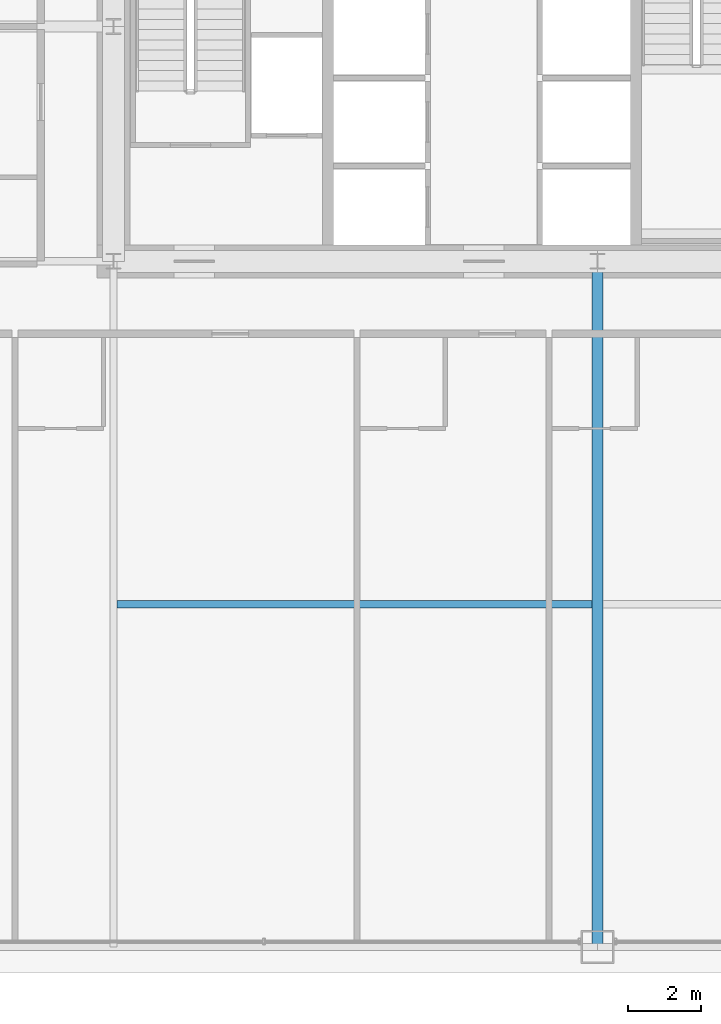
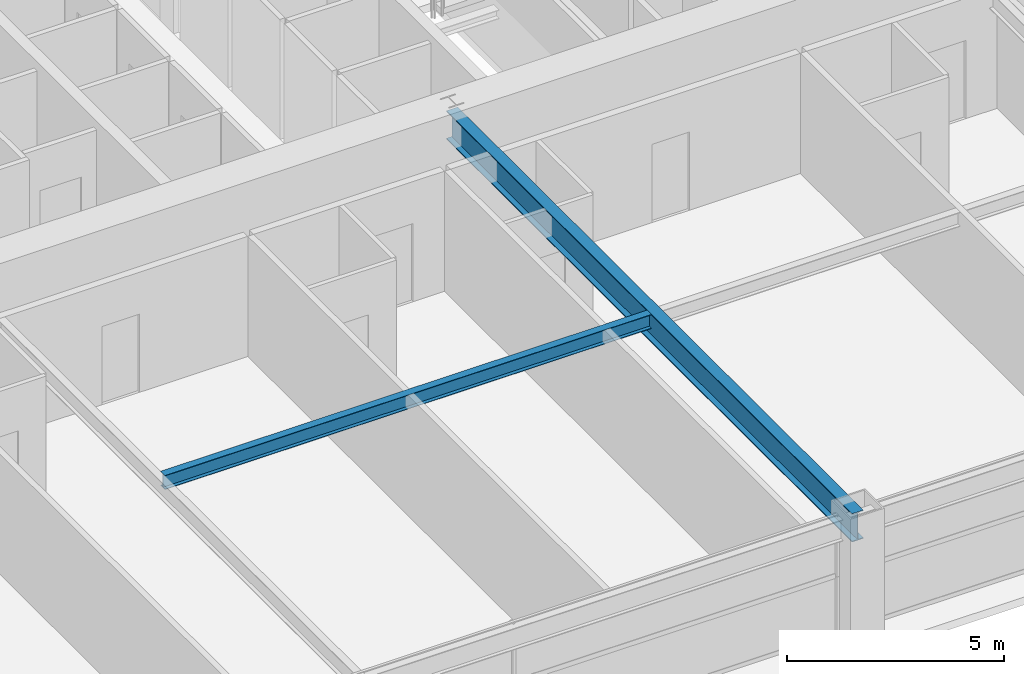
# One storey, part 8 of 43: 2 beams.
"""IFC4 building model written with IfcOpenShell, lengths in metres."""

from ifc_helpers import new_model, si_unit, direction, frame, origin, origin_2d, place, context, subcontext, project, spatial, i_section, extrude, source, transform, mapped, material, material_profile, profile_set, type_object, element, save


model = new_model("IFC4")

# Units and contexts
model_context = context("Model", 3, precision=1e-05, world=origin(), true_north=direction((0.0, 1.0)))
body_context = subcontext(model_context, "Body", "Model", "MODEL_VIEW")
ifc_project = project(units=[si_unit("LENGTHUNIT", "METRE"), si_unit("AREAUNIT", "SQUARE_METRE"), si_unit("VOLUMEUNIT", "CUBIC_METRE"), si_unit("PLANEANGLEUNIT", "RADIAN"), si_unit("MASSUNIT", "GRAM", prefix="KILO"), si_unit("THERMODYNAMICTEMPERATUREUNIT", "KELVIN"), si_unit("POWERUNIT", "WATT")], contexts=[model_context])

# Site, building, storey
site_placement = place(None, origin())
site = spatial("IfcSite", under=ifc_project, at=site_placement, CompositionType="ELEMENT")
building_placement = place(site_placement, origin())
building = spatial("IfcBuilding", under=site, at=building_placement, Name="Yuzanri Waterfront Tower", CompositionType="ELEMENT")
storey_placement = place(building_placement, frame((0.0, 0.0, 60.39990234375)))
storey = spatial("IfcBuildingStorey", under=building, at=storey_placement, Name="L15", CompositionType="ELEMENT", Elevation=60.39990234375)

# Beams
ifc_material_1 = material(Name="Steel Q355B", Category="steel")
ifc_material_profile_1 = material_profile(ifc_material_1, i_section(OverallWidth=0.300048828125, OverallDepth=0.800048828125, WebThickness=0.013916015625, FlangeThickness=0.02587890625, at=origin_2d()), Name="HN 800x300x14x26")
ifc_profile_set_1 = profile_set([ifc_material_profile_1], Name="Steel Q355B")
beam_type_1 = type_object("IfcBeamType", Name="Primary Floor Girder Q355B HN 800x300", PredefinedType="BEAM", material=ifc_profile_set_1)
shared_shape_1 = source(origin(), body_context, "Body", "SweptSolid", [
    extrude(i_section(OverallWidth=0.300048828125, OverallDepth=0.800048828125, WebThickness=0.013916015625, FlangeThickness=0.02587890625, at=origin_2d()), origin(), (0.0, 0.0, 1.0), 18.699951171875),
])
beam_1_placement = place(storey_placement, frame((37.0, 19.39990234375, 2.97998046875), z_axis=(0.0, -1.0, 0.0), x_axis=(1.0, 0.0, 0.0)))
element("IfcBeam", 1, at=beam_1_placement, inside=storey, type_object=beam_type_1, Name="L15 South Grid Girder", PredefinedType="BEAM", context=body_context, shape_type="MappedRepresentation", body=[
    mapped(shared_shape_1, transform((0.0, 0.0, 0.0), scale=1.0)),
])
ifc_material_2 = material(Name="Steel Q355B", Category="steel")
ifc_material_profile_2 = material_profile(ifc_material_2, i_section(OverallWidth=0.199951171875, OverallDepth=0.39990234375, WebThickness=0.008056640625, FlangeThickness=0.012939453125, at=origin_2d()), Name="HN 400x200x8x13")
ifc_profile_set_2 = profile_set([ifc_material_profile_2], Name="Steel Q355B")
beam_type_2 = type_object("IfcBeamType", Name="Floor Joist Q355B HN 400x200", PredefinedType="JOIST", material=ifc_profile_set_2)
shared_shape_2 = source(origin(), body_context, "Body", "SweptSolid", [
    extrude(i_section(OverallWidth=0.199951171875, OverallDepth=0.39990234375, WebThickness=0.008056640625, FlangeThickness=0.012939453125, at=origin_2d()), origin(), (0.0, 0.0, 1.0), 12.9501953125),
])
beam_2_placement = place(storey_placement, frame((23.89990234375, 10.050048828125, 3.18017578125), z_axis=(1.0, 0.0, 0.0), x_axis=(0.0, 1.0, 0.0)))
element("IfcBeam", 2, at=beam_2_placement, inside=storey, type_object=beam_type_2, Name="L15 South Bay Joist W", PredefinedType="JOIST", context=body_context, shape_type="MappedRepresentation", body=[
    mapped(shared_shape_2, transform((0.0, 0.0, 0.0), scale=1.0)),
])

save(model, "model.ifc")
